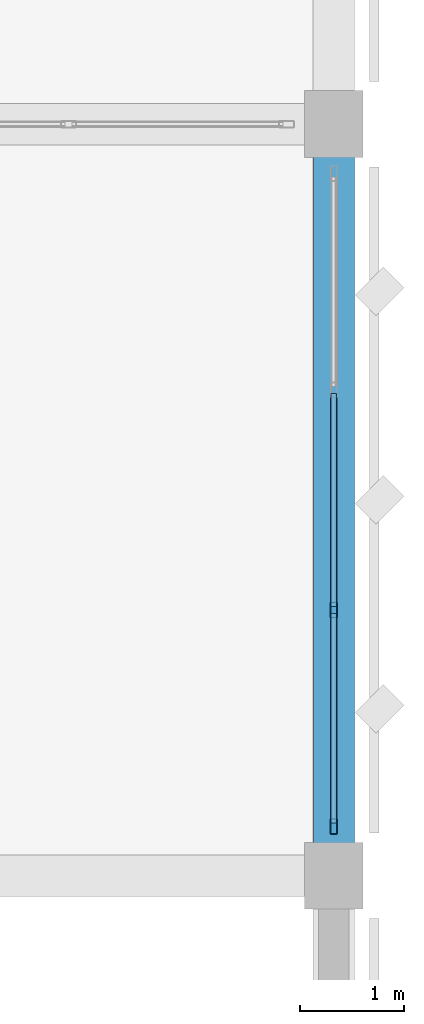
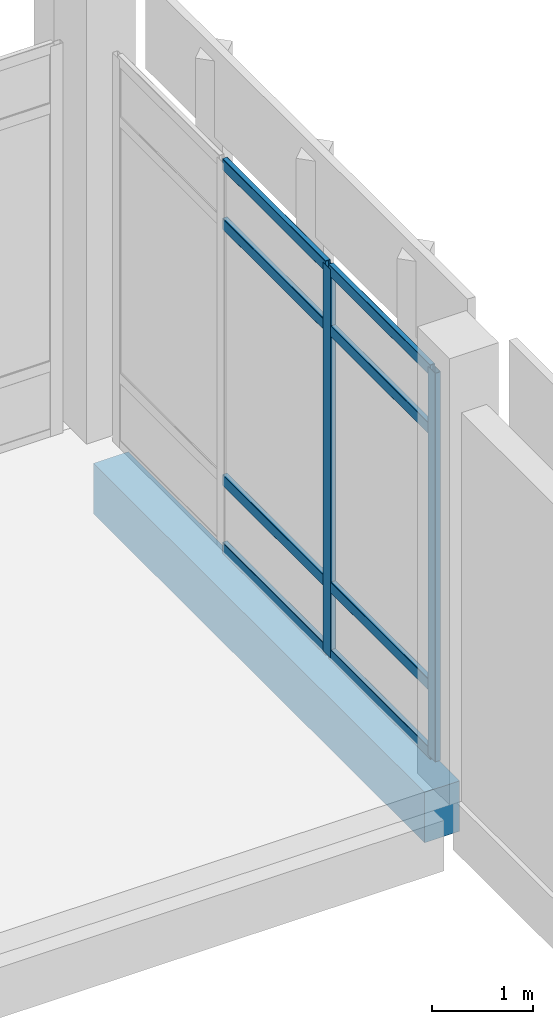
# One storey, part 121 of 180: 10 members, 1 beam, 1 element without a shape of its own.
"""IFC4 building model written with IfcOpenShell, lengths in metres."""

from ifc_helpers import new_model, si_unit, direction, frame, origin, origin_2d, place, context, subcontext, project, spatial, rectangle, hollow_rectangle, extrude, material, material_profile, profile_set, type_object, element, aggregate, save


model = new_model("IFC4")

# Units and contexts
model_context = context("Model", 3, precision=1e-05, world=origin(), true_north=direction((0.0, 1.0)))
body_context = subcontext(model_context, "Body", "Model", "MODEL_VIEW")
ifc_project = project(units=[si_unit("LENGTHUNIT", "METRE"), si_unit("AREAUNIT", "SQUARE_METRE"), si_unit("VOLUMEUNIT", "CUBIC_METRE"), si_unit("PLANEANGLEUNIT", "RADIAN"), si_unit("MASSUNIT", "GRAM", prefix="KILO")], contexts=[model_context])

# Site, building, storey
site_placement = place(None, origin())
site = spatial("IfcSite", under=ifc_project, at=site_placement, CompositionType="ELEMENT")
building_placement = place(site_placement, origin())
building = spatial("IfcBuilding", under=site, at=building_placement, Name="Lusvemor Sports Hall", CompositionType="ELEMENT")
storey_placement = place(building_placement, frame((0.0, 0.0, 5.39990234375)))
storey = spatial("IfcBuildingStorey", under=building, at=storey_placement, Name="L01", CompositionType="ELEMENT", Elevation=5.39990234375)

# Curtain wall, members
ifc_material_1 = material(Name="Thermally broken bronze-anodized aluminium", Category="aluminium")
curtain_wall_type = type_object("IfcCurtainWallType", Name="CW_PASSAGE_E", PredefinedType="NOTDEFINED", material=ifc_material_1)
curtain_wall_placement = place(storey_placement, origin())
curtain_wall = element("IfcCurtainWall", 1, at=curtain_wall_placement, inside=storey, type_object=curtain_wall_type, Name="Curtain Wall CW-NLINK-169-L01", PredefinedType="NOTDEFINED")
ifc_material_2 = material(Name="Thermally broken bronze-anodized aluminium", Category="aluminium")
ifc_material_profile_1 = material_profile(ifc_material_2, hollow_rectangle(XDim=0.06494140625, YDim=0.14990234375, WallThickness=0.00390625, InnerFilletRadius=0.00390625, OuterFilletRadius=0.008056640625, at=origin_2d()), Name="CWMUL150x65x4")
ifc_profile_set_1 = profile_set([ifc_material_profile_1], Name="Thermally broken bronze-anodized aluminium")
member_type_1 = type_object("IfcMemberType", Name="CW_MUL_B", PredefinedType="MULLION", material=ifc_profile_set_1)
member_1_placement = place(storey_placement, frame((169.199951171875, 76.072509765625, 0.0), z_axis=(0.0, 0.0, 1.0), x_axis=(-1.0, 0.0, 0.0)))
member_1 = element("IfcMember", 2, at=member_1_placement, type_object=member_type_1, Name="CW05 mullion 1", PredefinedType="MULLION", context=body_context, shape_type="SweptSolid", body=[
    extrude(hollow_rectangle(XDim=0.06494140625, YDim=0.14990234375, WallThickness=0.00390625, InnerFilletRadius=0.00390625, OuterFilletRadius=0.008056640625, at=origin_2d()), origin(), (0.0, 0.0, 1.0), 4.7001953125),
])
member_2_placement = place(storey_placement, frame((169.199951171875, 78.146728515625, 0.0), z_axis=(0.0, 0.0, 1.0), x_axis=(-1.0, 0.0, 0.0)))
member_2 = element("IfcMember", 3, at=member_2_placement, type_object=member_type_1, Name="CW05 mullion 2", PredefinedType="MULLION", context=body_context, shape_type="SweptSolid", body=[
    extrude(hollow_rectangle(XDim=0.06494140625, YDim=0.14990234375, WallThickness=0.00390625, InnerFilletRadius=0.00390625, OuterFilletRadius=0.008056640625, at=origin_2d()), origin(), (0.0, 0.0, 1.0), 4.7001953125),
])
ifc_material_3 = material(Name="Thermally broken bronze-anodized aluminium", Category="aluminium")
ifc_material_profile_2 = material_profile(ifc_material_3, hollow_rectangle(XDim=0.06005859375, YDim=0.135009765625, WallThickness=0.00390625, InnerFilletRadius=0.00390625, OuterFilletRadius=0.008056640625, at=origin_2d()), Name="CWTRN135x60x4")
ifc_profile_set_2 = profile_set([ifc_material_profile_2], Name="Thermally broken bronze-anodized aluminium")
member_type_2 = type_object("IfcMemberType", Name="CW_TRN_B", PredefinedType="USERDEFINED", material=ifc_profile_set_2)
member_3_placement = place(storey_placement, frame((169.199951171875, 76.10498046875, 0.030029296875), z_axis=(0.0, 1.0, 0.0), x_axis=(-1.0, 0.0, 0.0)))
member_3 = element("IfcMember", 4, at=member_3_placement, type_object=member_type_2, Name="CW05 transom 1.1", ObjectType="TRANSOM", PredefinedType="USERDEFINED", context=body_context, shape_type="SweptSolid", body=[
    extrude(hollow_rectangle(XDim=0.06005859375, YDim=0.135009765625, WallThickness=0.00390625, InnerFilletRadius=0.00390625, OuterFilletRadius=0.008056640625, at=origin_2d()), origin(), (0.0, 0.0, 1.0), 2.00927734375),
])
member_4_placement = place(storey_placement, frame((169.199951171875, 76.10498046875, 0.85009765625), z_axis=(0.0, 1.0, 0.0), x_axis=(-1.0, 0.0, 0.0)))
member_4 = element("IfcMember", 5, at=member_4_placement, type_object=member_type_2, Name="CW05 transom 1.2", ObjectType="TRANSOM", PredefinedType="USERDEFINED", context=body_context, shape_type="SweptSolid", body=[
    extrude(hollow_rectangle(XDim=0.06005859375, YDim=0.135009765625, WallThickness=0.00390625, InnerFilletRadius=0.00390625, OuterFilletRadius=0.008056640625, at=origin_2d()), origin(), (0.0, 0.0, 1.0), 2.00927734375),
])
member_5_placement = place(storey_placement, frame((169.199951171875, 76.10498046875, 3.9501953125), z_axis=(0.0, 1.0, 0.0), x_axis=(-1.0, 0.0, 0.0)))
member_5 = element("IfcMember", 6, at=member_5_placement, type_object=member_type_2, Name="CW05 transom 1.3", ObjectType="TRANSOM", PredefinedType="USERDEFINED", context=body_context, shape_type="SweptSolid", body=[
    extrude(hollow_rectangle(XDim=0.06005859375, YDim=0.135009765625, WallThickness=0.00390625, InnerFilletRadius=0.00390625, OuterFilletRadius=0.008056640625, at=origin_2d()), origin(), (0.0, 0.0, 1.0), 2.00927734375),
])
member_6_placement = place(storey_placement, frame((169.199951171875, 76.10498046875, 4.670166015625), z_axis=(0.0, 1.0, 0.0), x_axis=(-1.0, 0.0, 0.0)))
member_6 = element("IfcMember", 7, at=member_6_placement, type_object=member_type_2, Name="CW05 transom 1.4", ObjectType="TRANSOM", PredefinedType="USERDEFINED", context=body_context, shape_type="SweptSolid", body=[
    extrude(hollow_rectangle(XDim=0.06005859375, YDim=0.135009765625, WallThickness=0.00390625, InnerFilletRadius=0.00390625, OuterFilletRadius=0.008056640625, at=origin_2d()), origin(), (0.0, 0.0, 1.0), 2.00927734375),
])
member_7_placement = place(storey_placement, frame((169.199951171875, 78.17919921875, 0.030029296875), z_axis=(0.0, 1.0, 0.0), x_axis=(-1.0, 0.0, 0.0)))
member_7 = element("IfcMember", 8, at=member_7_placement, type_object=member_type_2, Name="CW05 transom 2.1", ObjectType="TRANSOM", PredefinedType="USERDEFINED", context=body_context, shape_type="SweptSolid", body=[
    extrude(hollow_rectangle(XDim=0.06005859375, YDim=0.135009765625, WallThickness=0.00390625, InnerFilletRadius=0.00390625, OuterFilletRadius=0.008056640625, at=origin_2d()), origin(), (0.0, 0.0, 1.0), 2.041748046875),
])
member_8_placement = place(storey_placement, frame((169.199951171875, 78.17919921875, 0.85009765625), z_axis=(0.0, 1.0, 0.0), x_axis=(-1.0, 0.0, 0.0)))
member_8 = element("IfcMember", 9, at=member_8_placement, type_object=member_type_2, Name="CW05 transom 2.2", ObjectType="TRANSOM", PredefinedType="USERDEFINED", context=body_context, shape_type="SweptSolid", body=[
    extrude(hollow_rectangle(XDim=0.06005859375, YDim=0.135009765625, WallThickness=0.00390625, InnerFilletRadius=0.00390625, OuterFilletRadius=0.008056640625, at=origin_2d()), origin(), (0.0, 0.0, 1.0), 2.041748046875),
])
member_9_placement = place(storey_placement, frame((169.199951171875, 78.17919921875, 3.9501953125), z_axis=(0.0, 1.0, 0.0), x_axis=(-1.0, 0.0, 0.0)))
member_9 = element("IfcMember", 10, at=member_9_placement, type_object=member_type_2, Name="CW05 transom 2.3", ObjectType="TRANSOM", PredefinedType="USERDEFINED", context=body_context, shape_type="SweptSolid", body=[
    extrude(hollow_rectangle(XDim=0.06005859375, YDim=0.135009765625, WallThickness=0.00390625, InnerFilletRadius=0.00390625, OuterFilletRadius=0.008056640625, at=origin_2d()), origin(), (0.0, 0.0, 1.0), 2.041748046875),
])
member_10_placement = place(storey_placement, frame((169.199951171875, 78.17919921875, 4.670166015625), z_axis=(0.0, 1.0, 0.0), x_axis=(-1.0, 0.0, 0.0)))
member_10 = element("IfcMember", 11, at=member_10_placement, type_object=member_type_2, Name="CW05 transom 2.4", ObjectType="TRANSOM", PredefinedType="USERDEFINED", context=body_context, shape_type="SweptSolid", body=[
    extrude(hollow_rectangle(XDim=0.06005859375, YDim=0.135009765625, WallThickness=0.00390625, InnerFilletRadius=0.00390625, OuterFilletRadius=0.008056640625, at=origin_2d()), origin(), (0.0, 0.0, 1.0), 2.041748046875),
])
aggregate(curtain_wall, [member_1, member_2, member_3, member_4, member_5, member_6, member_7, member_8, member_9, member_10])

# Beam
ifc_material_4 = material(Name="Concrete C40/50", Category="concrete")
ifc_material_profile_3 = material_profile(ifc_material_4, rectangle(XDim=0.39990234375, YDim=0.610107421875, at=origin_2d()), Name="RC400x610")
ifc_profile_set_3 = profile_set([ifc_material_profile_3], Name="Concrete C40/50")
beam_type = type_object("IfcBeamType", Name="SPAND_EXT_650", PredefinedType="SPANDREL", material=ifc_profile_set_3)
beam_placement = place(storey_placement, frame((169.199951171875, 75.916015625, -0.56494140625), z_axis=(0.0, 1.0, 0.0), x_axis=(-1.0, 0.0, 0.0)))
element("IfcBeam", 12, at=beam_placement, inside=storey, type_object=beam_type, Name="Beam L01 20:K-L", PredefinedType="SPANDREL", context=body_context, shape_type="SweptSolid", body=[
    extrude(rectangle(XDim=0.39990234375, YDim=0.610107421875, at=origin_2d()), origin(), (0.0, 0.0, 1.0), 6.56787109375),
])

save(model, "model.ifc")
